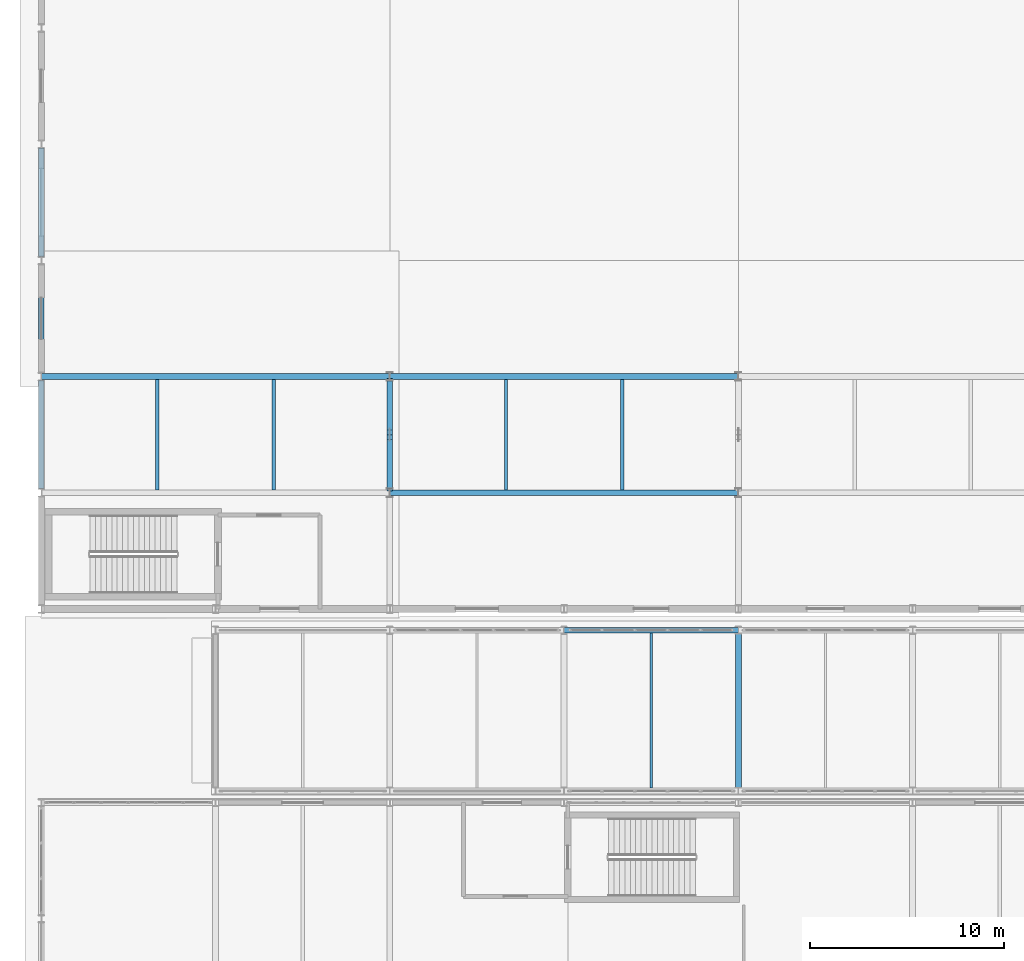
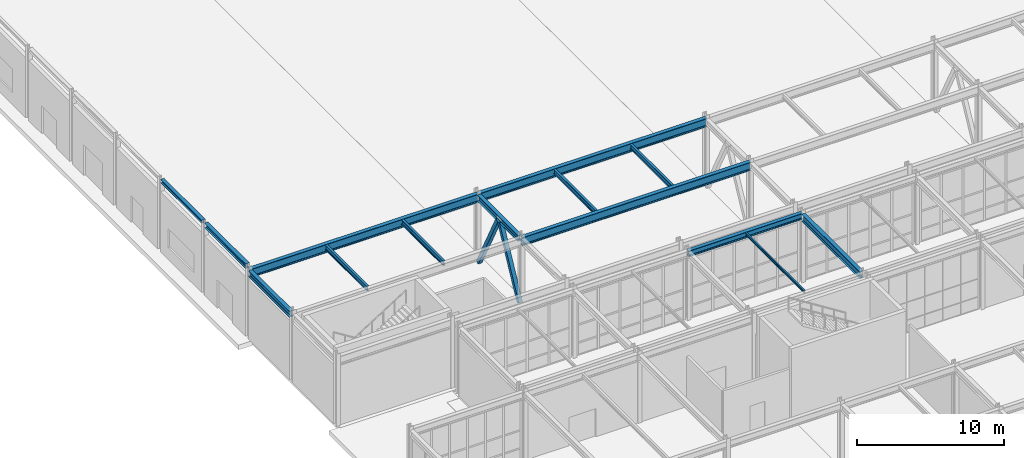
# One storey, part 51 of 146: 14 beams, 2 members.
"""IFC4 building model written with IfcOpenShell, lengths in metres."""

from ifc_helpers import new_model, si_unit, direction, frame, origin, origin_2d, place, context, subcontext, project, spatial, hollow_rectangle, i_section, extrude, material, material_profile, profile_set, type_object, element, save


model = new_model("IFC4")

# Units and contexts
model_context = context("Model", 3, precision=1e-05, world=origin(), true_north=direction((0.0, 1.0)))
body_context = subcontext(model_context, "Body", "Model", "MODEL_VIEW")
ifc_project = project(units=[si_unit("LENGTHUNIT", "METRE"), si_unit("AREAUNIT", "SQUARE_METRE"), si_unit("VOLUMEUNIT", "CUBIC_METRE"), si_unit("PLANEANGLEUNIT", "RADIAN"), si_unit("MASSUNIT", "GRAM", prefix="KILO")], contexts=[model_context])

# Site, building, storey
site_placement = place(None, origin())
site = spatial("IfcSite", under=ifc_project, at=site_placement, CompositionType="ELEMENT")
building_placement = place(site_placement, origin())
building = spatial("IfcBuilding", under=site, at=building_placement, Name="Kaldris Quays Convention Centre", CompositionType="ELEMENT")
storey_placement = place(building_placement, origin())
storey = spatial("IfcBuildingStorey", under=building, at=storey_placement, Name="L00", CompositionType="ELEMENT", Elevation=0.0)

# Beams
ifc_material_1 = material(Name="Steel S355J2", Category="steel")
ifc_material_profile_1 = material_profile(ifc_material_1, i_section(OverallWidth=0.300048828125, OverallDepth=0.699951171875, WebThickness=0.01708984375, FlangeThickness=0.031982421875, FilletRadius=0.027099609375, at=origin_2d()), Name="HEB 700")
ifc_profile_set_1 = profile_set([ifc_material_profile_1], Name="Steel S355J2")
beam_type_1 = type_object("IfcBeamType", Name="STRUCTURAL BEAM BM04", PredefinedType="BEAM", material=ifc_profile_set_1)
beam_1_placement = place(storey_placement, frame((38.0009765625, 62.0, 5.3330078125), z_axis=(1.0, 0.0, 0.0), x_axis=(0.0, 1.0, 0.0)))
element("IfcBeam", 1, at=beam_1_placement, inside=storey, type_object=beam_type_1, Name="L00 Girder BM04 16", PredefinedType="BEAM", context=body_context, shape_type="SweptSolid", body=[
    extrude(i_section(OverallWidth=0.300048828125, OverallDepth=0.699951171875, WebThickness=0.01708984375, FlangeThickness=0.031982421875, FilletRadius=0.027099609375, at=origin_2d()), origin(), (0.0, 0.0, 1.0), 17.998046875),
])
beam_2_placement = place(storey_placement, frame((20.00439453125, 68.0, 5.3330078125), z_axis=(1.0, 0.0, 0.0), x_axis=(0.0, 1.0, 0.0)))
element("IfcBeam", 2, at=beam_2_placement, inside=storey, type_object=beam_type_1, Name="L00 Girder BM04 22", PredefinedType="BEAM", context=body_context, shape_type="SweptSolid", body=[
    extrude(i_section(OverallWidth=0.300048828125, OverallDepth=0.699951171875, WebThickness=0.01708984375, FlangeThickness=0.031982421875, FilletRadius=0.027099609375, at=origin_2d()), origin(), (0.0, 0.0, 1.0), 17.99462890625),
])
beam_3_placement = place(storey_placement, frame((38.0009765625, 68.0, 5.3330078125), z_axis=(1.0, 0.0, 0.0), x_axis=(0.0, 1.0, 0.0)))
element("IfcBeam", 3, at=beam_3_placement, inside=storey, type_object=beam_type_1, Name="L00 Girder BM04 23", PredefinedType="BEAM", context=body_context, shape_type="SweptSolid", body=[
    extrude(i_section(OverallWidth=0.300048828125, OverallDepth=0.699951171875, WebThickness=0.01708984375, FlangeThickness=0.031982421875, FilletRadius=0.027099609375, at=origin_2d()), origin(), (0.0, 0.0, 1.0), 17.998046875),
])
ifc_material_profile_2 = material_profile(ifc_material_1, i_section(OverallWidth=0.300048828125, OverallDepth=0.5, WebThickness=0.014404296875, FlangeThickness=0.028076171875, FilletRadius=0.027099609375, at=origin_2d()), Name="HEB 500")
ifc_profile_set_2 = profile_set([ifc_material_profile_2], Name="Steel S355J2")
beam_type_2 = type_object("IfcBeamType", Name="STRUCTURAL BEAM BM06", PredefinedType="BEAM", material=ifc_profile_set_2)
beam_4_placement = place(storey_placement, frame((20.0, 62.2099609375, 5.43310546875), z_axis=(0.0, 1.0, 0.0), x_axis=(-1.0, 0.0, 0.0)))
element("IfcBeam", 4, at=beam_4_placement, inside=storey, type_object=beam_type_2, Name="L00 Girder BM06 51", PredefinedType="BEAM", context=body_context, shape_type="SweptSolid", body=[
    extrude(i_section(OverallWidth=0.300048828125, OverallDepth=0.5, WebThickness=0.014404296875, FlangeThickness=0.028076171875, FilletRadius=0.027099609375, at=origin_2d()), origin(), (0.0, 0.0, 1.0), 5.580078125),
])
beam_5_placement = place(storey_placement, frame((38.0, 62.218994140625, 5.43310546875), z_axis=(0.0, 1.0, 0.0), x_axis=(-1.0, 0.0, 0.0)))
element("IfcBeam", 5, at=beam_5_placement, inside=storey, type_object=beam_type_2, Name="L00 Girder BM06 54", PredefinedType="BEAM", context=body_context, shape_type="SweptSolid", body=[
    extrude(i_section(OverallWidth=0.300048828125, OverallDepth=0.5, WebThickness=0.014404296875, FlangeThickness=0.028076171875, FilletRadius=0.027099609375, at=origin_2d()), origin(), (0.0, 0.0, 1.0), 5.56201171875),
])
beam_6_placement = place(storey_placement, frame((46.99951171875, 54.89990234375, 5.472900390625), z_axis=(1.0, 0.0, 0.0), x_axis=(0.0, 1.0, 0.0)))
element("IfcBeam", 6, at=beam_6_placement, inside=storey, type_object=beam_type_2, Name="L00 Girder BM06 9", PredefinedType="BEAM", context=body_context, shape_type="SweptSolid", body=[
    extrude(i_section(OverallWidth=0.300048828125, OverallDepth=0.5, WebThickness=0.014404296875, FlangeThickness=0.028076171875, FilletRadius=0.027099609375, at=origin_2d()), origin(), (0.0, 0.0, 1.0), 9.0009765625),
])
ifc_material_profile_3 = material_profile(ifc_material_1, i_section(OverallWidth=0.300048828125, OverallDepth=0.590087890625, WebThickness=0.012939453125, FlangeThickness=0.02490234375, FilletRadius=0.027099609375, at=origin_2d()), Name="HEA 600")
ifc_profile_set_3 = profile_set([ifc_material_profile_3], Name="Steel S355J2")
beam_type_3 = type_object("IfcBeamType", Name="STRUCTURAL BEAM BM08", PredefinedType="BEAM", material=ifc_profile_set_3)
beam_7_placement = place(storey_placement, frame((56.0, 46.7890625, 5.427978515625), z_axis=(0.0, 1.0, 0.0), x_axis=(-1.0, 0.0, 0.0)))
element("IfcBeam", 7, at=beam_7_placement, inside=storey, type_object=beam_type_3, Name="L00 Girder BM08 16", PredefinedType="BEAM", context=body_context, shape_type="SweptSolid", body=[
    extrude(i_section(OverallWidth=0.300048828125, OverallDepth=0.590087890625, WebThickness=0.012939453125, FlangeThickness=0.02490234375, FilletRadius=0.027099609375, at=origin_2d()), origin(), (0.0, 0.0, 1.0), 7.921875),
])
ifc_material_profile_4 = material_profile(ifc_material_1, i_section(OverallWidth=0.179931640625, OverallDepth=0.39990234375, WebThickness=0.008544921875, FlangeThickness=0.013427734375, FilletRadius=0.02099609375, at=origin_2d()), Name="IPE 400")
ifc_profile_set_4 = profile_set([ifc_material_profile_4], Name="Steel S355J2")
beam_type_4 = type_object("IfcBeamType", Name="STRUCTURAL BEAM JT02", PredefinedType="JOIST", material=ifc_profile_set_4)
for number, where, z_axis, x_axis, name in (
    (8, (26.0, 62.14404296875, 5.48291015625), (0.0, 1.0, 0.0), (-1.0, 0.0, 0.0), "L00 Secondary Joist JT02 1"),
    (9, (32.0, 62.14404296875, 5.48291015625), (0.0, 1.0, 0.0), (-1.0, 0.0, 0.0), "L00 Secondary Joist JT02 2"),
    (10, (44.0, 62.14404296875, 5.48291015625), (0.0, 1.0, 0.0), (-1.0, 0.0, 0.0), "L00 Secondary Joist JT02 3"),
    (11, (50.0, 62.14404296875, 5.48291015625), (0.0, 1.0, 0.0), (-1.0, 0.0, 0.0), "L00 Secondary Joist JT02 4"),
):
    element("IfcBeam", number, at=place(storey_placement, frame(where, z_axis=z_axis, x_axis=x_axis)), inside=storey, type_object=beam_type_4, Name=name, PredefinedType="JOIST", context=body_context, shape_type="SweptSolid", body=[
        extrude(i_section(OverallWidth=0.179931640625, OverallDepth=0.39990234375, WebThickness=0.008544921875, FlangeThickness=0.013427734375, FilletRadius=0.02099609375, at=origin_2d()), origin(), (0.0, 0.0, 1.0), 5.7119140625),
    ])
ifc_material_profile_5 = material_profile(ifc_material_1, i_section(OverallWidth=0.110107421875, OverallDepth=0.219970703125, WebThickness=0.005859375, FlangeThickness=0.00927734375, FilletRadius=0.011962890625, at=origin_2d()), Name="IPE 220")
ifc_profile_set_5 = profile_set([ifc_material_profile_5], Name="Steel S355J2")
beam_type_5 = type_object("IfcBeamType", Name="STRUCTURAL BEAM JT08", PredefinedType="JOIST", material=ifc_profile_set_5)
beam_8_placement = place(storey_placement, frame((51.5, 46.743896484375, 5.613037109375), z_axis=(0.0, 1.0, 0.0), x_axis=(-1.0, 0.0, 0.0)))
element("IfcBeam", 12, at=beam_8_placement, inside=storey, type_object=beam_type_5, Name="L00 Secondary Joist JT08 3", PredefinedType="JOIST", context=body_context, shape_type="SweptSolid", body=[
    extrude(i_section(OverallWidth=0.110107421875, OverallDepth=0.219970703125, WebThickness=0.005859375, FlangeThickness=0.00927734375, FilletRadius=0.011962890625, at=origin_2d()), origin(), (0.0, 0.0, 1.0), 8.01220703125),
])
ifc_material_profile_6 = material_profile(ifc_material_1, i_section(OverallWidth=0.300048828125, OverallDepth=0.389892578125, WebThickness=0.010986328125, FlangeThickness=0.01904296875, FilletRadius=0.027099609375, at=origin_2d()), Name="HEA 400")
ifc_profile_set_6 = profile_set([ifc_material_profile_6], Name="Steel S355J2")
beam_type_6 = type_object("IfcBeamType", Name="STRUCTURAL BEAM SP01", PredefinedType="SPANDREL", material=ifc_profile_set_6)
beam_9_placement = place(storey_placement, frame((20.0, 68.195068359375, 5.804931640625), z_axis=(0.0, 1.0, 0.0), x_axis=(-1.0, 0.0, 0.0)))
element("IfcBeam", 13, at=beam_9_placement, inside=storey, type_object=beam_type_6, Name="L00 Perimeter Wall-Bearing Spandrel SP01 1", PredefinedType="SPANDREL", context=body_context, shape_type="SweptSolid", body=[
    extrude(i_section(OverallWidth=0.300048828125, OverallDepth=0.389892578125, WebThickness=0.010986328125, FlangeThickness=0.01904296875, FilletRadius=0.027099609375, at=origin_2d()), origin(), (0.0, 0.0, 1.0), 5.60986328125),
])
ifc_material_profile_7 = material_profile(ifc_material_1, i_section(OverallWidth=0.280029296875, OverallDepth=0.27001953125, WebThickness=0.008056640625, FlangeThickness=0.012939453125, FilletRadius=0.02392578125, at=origin_2d()), Name="HEA 280")
ifc_profile_set_7 = profile_set([ifc_material_profile_7], Name="Steel S355J2")
beam_type_7 = type_object("IfcBeamType", Name="STRUCTURAL BEAM SP03", PredefinedType="SPANDREL", material=ifc_profile_set_7)
beam_10_placement = place(storey_placement, frame((20.0, 74.195068359375, 5.864990234375), z_axis=(0.0, 1.0, 0.0), x_axis=(-1.0, 0.0, 0.0)))
element("IfcBeam", 14, at=beam_10_placement, inside=storey, type_object=beam_type_7, Name="L00 Perimeter Wall-Bearing Spandrel SP03 3", PredefinedType="SPANDREL", context=body_context, shape_type="SweptSolid", body=[
    extrude(i_section(OverallWidth=0.280029296875, OverallDepth=0.27001953125, WebThickness=0.008056640625, FlangeThickness=0.012939453125, FilletRadius=0.02392578125, at=origin_2d()), origin(), (0.0, 0.0, 1.0), 5.60986328125),
])

# Members
ifc_material_2 = material(Name="Steel S355J2H", Category="steel")
ifc_material_profile_8 = material_profile(ifc_material_2, hollow_rectangle(XDim=0.300048828125, YDim=0.300048828125, WallThickness=0.012451171875, at=origin_2d()), Name="SHS 300x300x12.5")
ifc_profile_set_8 = profile_set([ifc_material_profile_8], Name="Steel S355J2H")
member_type = type_object("IfcMemberType", Name="STRUCTURAL MEMBER CB01", PredefinedType="BRACE", material=ifc_profile_set_8)
for number, where, z_axis, x_axis, name in (
    (15, (38.0, 62.219970703125, 0.080078125), (0.0, 0.461871891973, 0.88694664744), (-1.0, 0.0, 0.0), "L00 V1 Concentric Brace CB01 1A"),
    (16, (38.0, 67.780029296875, 0.080078125), (0.0, -0.461871891973, 0.88694664744), (1.0, 0.0, 0.0), "L00 V1 Concentric Brace CB01 1B"),
):
    element("IfcMember", number, at=place(storey_placement, frame(where, z_axis=z_axis, x_axis=x_axis)), inside=storey, type_object=member_type, Name=name, PredefinedType="BRACE", context=body_context, shape_type="SweptSolid", body=[
        extrude(hollow_rectangle(XDim=0.300048828125, YDim=0.300048828125, WallThickness=0.012451171875, at=origin_2d()), origin(), (0.0, 0.0, 1.0), 5.759033203125),
    ])

save(model, "model.ifc")
